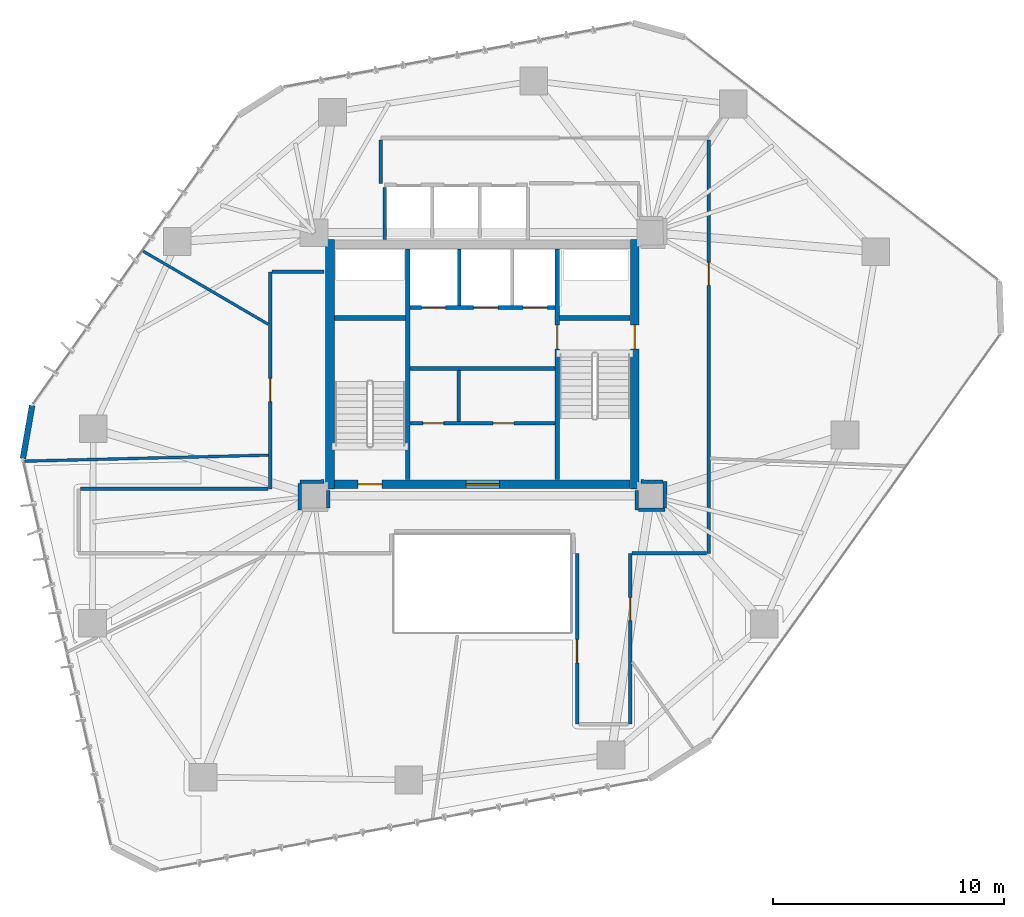
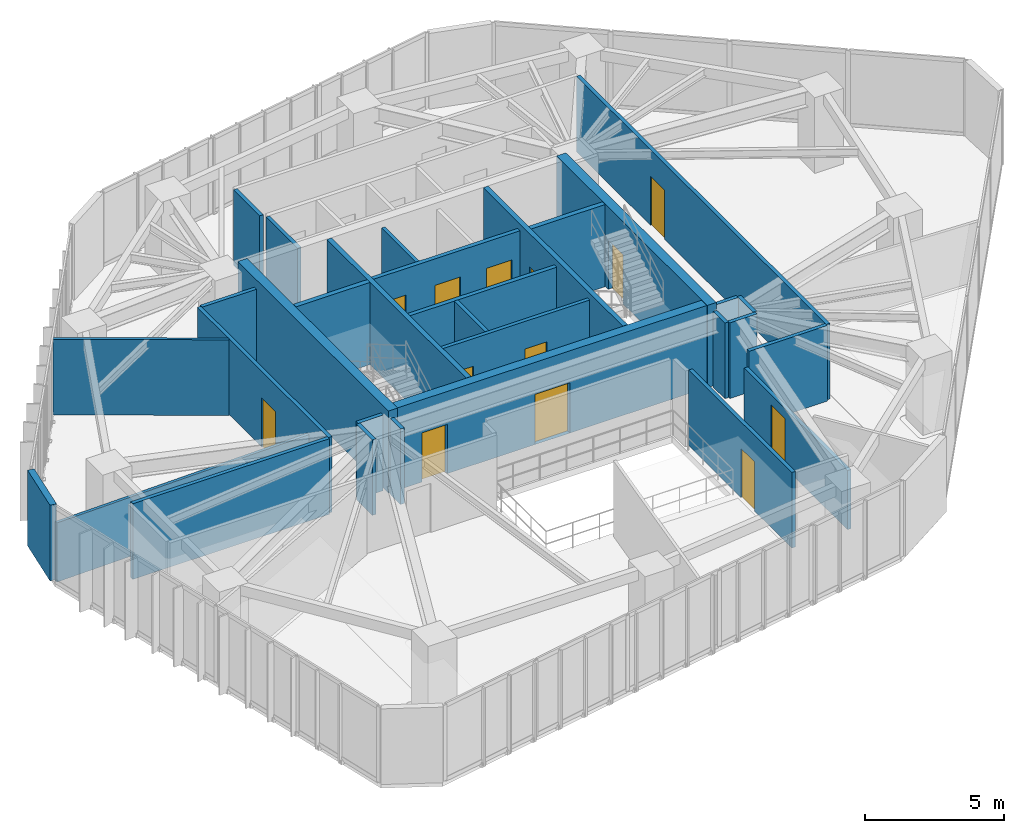
# One storey, part 17 of 22: 31 walls, 13 doors, 13 openings.
"""IFC4 building model written with IfcOpenShell, lengths in metres."""

import ifcopenshell
import ifcopenshell.guid

model = None  # the IFC model being written
_history = None  # IfcOwnerHistory: only IFC2X3 demands one
_inside = {}  # id of a spatial element -> (the spatial element, [elements in it])
_under = {}  # id of a project, library or spatial element -> (it, [spatial elements below it])
_declared = {}  # id of a project -> (the project, [libraries it declares])
_typed = {}  # id of a type object -> (the type object, [elements of that type])
_made_of = {}  # id of a material, layer set ... -> (it, [elements and type objects made of it])


def new_model(schema):
    """Start an empty IFC model of exactly this schema.

    Asked for "IFC4X3", IfcOpenShell would pick the latest addendum, in which some entities
    have other attributes; the version numbers below select the first issue.
    IFC2X3 requires an IfcOwnerHistory on every rooted entity: one is made here for all.
    """
    global model, _history
    if schema == "IFC4X3":
        model = ifcopenshell.file(schema_version=(4, 3, 0, 0))
    else:
        model = ifcopenshell.file(schema=schema)
    _inside.clear()
    _under.clear()
    _declared.clear()
    _typed.clear()
    _made_of.clear()
    _history = None
    if model.schema == "IFC2X3":
        org = make("IfcOrganization", Name="unknown")
        user = make(
            "IfcPersonAndOrganization",
            ThePerson=make("IfcPerson", FamilyName="unknown"),
            TheOrganization=org,
        )
        app = make(
            "IfcApplication",
            ApplicationDeveloper=org,
            Version="unknown",
            ApplicationFullName="unknown",
            ApplicationIdentifier="unknown",
        )
        _history = make(
            "IfcOwnerHistory",
            OwningUser=user,
            OwningApplication=app,
            ChangeAction="ADDED",
            CreationDate=0,
        )
    return model


def make(cls, **values):
    """One entity of the class cls with the attributes given. An attribute that is None is left unset."""
    return model.create_entity(
        cls, **{name: value for name, value in values.items() if value is not None}
    )


def rooted(cls, **values):
    """An entity with a GlobalId (a new one), such as an element, a storey or a relation."""
    return make(cls, GlobalId=ifcopenshell.guid.new(), OwnerHistory=_history, **values)


def si_unit(unit_type, name, prefix=None):
    """IfcSIUnit, for example si_unit("LENGTHUNIT", "METRE", prefix="MILLI")."""
    return make("IfcSIUnit", UnitType=unit_type, Prefix=prefix, Name=name)


def assignment(units):
    """IfcUnitAssignment: the units of a project."""
    return None if units is None else make("IfcUnitAssignment", Units=units)


def point(xyz):
    """IfcCartesianPoint."""
    return None if xyz is None else make("IfcCartesianPoint", Coordinates=xyz)


def direction(xyz):
    """IfcDirection."""
    return None if xyz is None else make("IfcDirection", DirectionRatios=xyz)


def frame(location, z_axis=None, x_axis=None):
    """IfcAxis2Placement3D, a coordinate frame: its origin and axes. An axis left out is left unset."""
    return make(
        "IfcAxis2Placement3D",
        Location=point(location),
        Axis=direction(z_axis),
        RefDirection=direction(x_axis),
    )


def frame_2d(location, x_axis=None):
    """IfcAxis2Placement2D, a coordinate frame in the plane: its origin and x axis."""
    return make(
        "IfcAxis2Placement2D", Location=point(location), RefDirection=direction(x_axis)
    )


def origin():
    """The frame at (0, 0, 0) with its axes left unset."""
    return frame((0.0, 0.0, 0.0))


def place(relative_to, where):
    """IfcLocalPlacement: puts the frame where relative to a parent placement (None: the world)."""
    return make(
        "IfcLocalPlacement", PlacementRelTo=relative_to, RelativePlacement=where
    )


def context(
    kind, dimensions, precision=None, world=None, true_north=None, identifier=None
):
    """IfcGeometricRepresentationContext, for example the 3D "Model" context."""
    return make(
        "IfcGeometricRepresentationContext",
        ContextIdentifier=identifier,
        ContextType=kind,
        CoordinateSpaceDimension=dimensions,
        Precision=precision,
        WorldCoordinateSystem=world,
        TrueNorth=true_north,
    )


def subcontext(parent, identifier, kind, view, scale=None):
    """IfcGeometricRepresentationSubContext, for example "Body" below "Model"."""
    return make(
        "IfcGeometricRepresentationSubContext",
        ContextIdentifier=identifier,
        ContextType=kind,
        ParentContext=parent,
        TargetScale=scale,
        TargetView=view,
    )


def project(units=None, contexts=None):
    """IfcProject with its units and contexts."""
    return rooted(
        "IfcProject",
        Name="project",
        RepresentationContexts=contexts,
        UnitsInContext=assignment(units),
    )


def spatial(cls, under=None, at=None, **own):
    """A site, building, storey or space (cls), placed at a placement, below another one or the project."""
    s = rooted(cls, ObjectPlacement=at, **own)
    if under is not None:
        _under.setdefault(under.id(), (under, []))[1].append(s)
    return s


def profile(cls, at=None, kind="AREA", **sizes):
    """A parametric profile (cls). Its sizes go by their IFC names, for example OverallWidth=200.0."""
    return make(cls, ProfileType=kind, Position=at, **sizes)


def rectangle(**sizes):
    """IfcRectangleProfileDef."""
    return profile("IfcRectangleProfileDef", **sizes)


def extrude(swept, where, along, depth):
    """IfcExtrudedAreaSolid: the profile swept, set in the frame where, extruded along a direction by depth."""
    return make(
        "IfcExtrudedAreaSolid",
        SweptArea=swept,
        Position=where,
        ExtrudedDirection=direction(along),
        Depth=depth,
    )


def shape(context_of_items, identifier, shape_type, items):
    """IfcShapeRepresentation: the items that make up one representation, for example the "Body"."""
    return make(
        "IfcShapeRepresentation",
        ContextOfItems=context_of_items,
        RepresentationIdentifier=identifier,
        RepresentationType=shape_type,
        Items=items,
    )


def source(mapping_origin, context_of_items, identifier, shape_type, items):
    """IfcRepresentationMap: a shape defined once, which mapped items show again and again."""
    return make(
        "IfcRepresentationMap",
        MappingOrigin=mapping_origin,
        MappedRepresentation=shape(context_of_items, identifier, shape_type, items),
    )


def transform(
    local_origin,
    x_axis=None,
    y_axis=None,
    z_axis=None,
    scale=None,
    scale2=None,
    scale3=None,
    uniform=True,
):
    """IfcCartesianTransformationOperator3D, or its non-uniform kind. x_axis, y_axis, z_axis: its Axis1, 2, 3."""
    if uniform:
        return make(
            "IfcCartesianTransformationOperator3D",
            Axis1=direction(x_axis),
            Axis2=direction(y_axis),
            LocalOrigin=point(local_origin),
            Scale=scale,
            Axis3=direction(z_axis),
        )
    return make(
        "IfcCartesianTransformationOperator3DnonUniform",
        Axis1=direction(x_axis),
        Axis2=direction(y_axis),
        LocalOrigin=point(local_origin),
        Scale=scale,
        Axis3=direction(z_axis),
        Scale2=scale2,
        Scale3=scale3,
    )


def mapped(mapping_source, mapping_target):
    """IfcMappedItem: shows the shape of a source again, moved by a transform."""
    return make(
        "IfcMappedItem", MappingSource=mapping_source, MappingTarget=mapping_target
    )


def material(Name=None, Category=None):
    """IfcMaterial."""
    return make("IfcMaterial", Name=Name, Category=Category)


def layer(
    of_material, thickness, ventilated=None, Name=None, Category=None, Priority=None
):
    """IfcMaterialLayer: one layer of a wall or slab, of a material (None: an air gap)."""
    return make(
        "IfcMaterialLayer",
        Material=of_material,
        LayerThickness=thickness,
        IsVentilated=ventilated,
        Name=Name,
        Category=Category,
        Priority=Priority,
    )


def layer_set(layers, Name=None):
    """IfcMaterialLayerSet."""
    return make("IfcMaterialLayerSet", MaterialLayers=layers, LayerSetName=Name)


def made_of(thing, what):
    """Note that an element or type object is made of a material, layer set ...; save() writes the relation."""
    if what is not None:
        _made_of.setdefault(what.id(), (what, []))[1].append(thing)
    return thing


def type_object(cls, material=None, **own):
    """A type object (cls), such as IfcWallType, which elements share."""
    return made_of(rooted(cls, **own), material)


def type_shapes(of_type, sources):
    """Give a type object the sources (RepresentationMaps) that its elements show as mapped items."""
    of_type.RepresentationMaps = sources


def element(
    cls,
    number,
    at=None,
    inside=None,
    cuts=None,
    type_object=None,
    material=None,
    context=None,
    identifier="Body",
    shape_type=None,
    held_by="IfcProductDefinitionShape",
    body=None,
    shapes=None,
    **own,
):
    """One element of the class cls, such as IfcWall. Its Tag is "e" and its number.

    at: its placement. inside: the storey or other place that contains it. cuts: it is an
    opening in that element (IfcRelVoidsElement). A single representation is given by context,
    identifier, shape_type and body (its items); several are given by shapes. held_by: the class
    of the entity that holds the representations. save() writes the other relations.
    """
    e = rooted(cls, Tag="e%d" % number, ObjectPlacement=at, **own)
    if body is not None:
        shapes = [shape(context, identifier, shape_type, body)]
    if shapes is not None:
        e.Representation = make(held_by, Representations=shapes)
    if inside is not None:
        _inside.setdefault(inside.id(), (inside, []))[1].append(e)
    if cuts is not None:
        rooted(
            "IfcRelVoidsElement", RelatingBuildingElement=cuts, RelatedOpeningElement=e
        )
    if type_object is not None:
        _typed.setdefault(type_object.id(), (type_object, []))[1].append(e)
    return made_of(e, material)


def fill(opening, filler):
    """IfcRelFillsElement: the door or window that sits in an opening."""
    return rooted(
        "IfcRelFillsElement",
        RelatingOpeningElement=opening,
        RelatedBuildingElement=filler,
    )


def aggregate(whole, parts):
    """IfcRelAggregates: a whole, such as a stair, and the parts it consists of."""
    return rooted("IfcRelAggregates", RelatingObject=whole, RelatedObjects=parts)


def save(model, path):
    """Write the relations noted so far, then the file.

    IfcRelAggregates (storeys below a building ...), IfcRelContainedInSpatialStructure (elements
    in a storey), IfcRelDefinesByType, IfcRelAssociatesMaterial and IfcRelDeclares: one each for
    every whole, place, type object, material and project.
    """
    for whole, parts in _under.values():
        aggregate(whole, parts)
    for where, things in _inside.values():
        rooted(
            "IfcRelContainedInSpatialStructure",
            RelatedElements=things,
            RelatingStructure=where,
        )
    for kind, things in _typed.values():
        rooted("IfcRelDefinesByType", RelatedObjects=things, RelatingType=kind)
    for what, things in _made_of.values():
        rooted("IfcRelAssociatesMaterial", RelatedObjects=things, RelatingMaterial=what)
    for by, libraries in _declared.values():
        rooted("IfcRelDeclares", RelatingContext=by, RelatedDefinitions=libraries)
    model.write(path)


model = new_model("IFC4")

# Units and contexts
model_context = context("Model", 3, precision=1e-05, world=origin(), true_north=direction((0.0, 1.0)))
body_context = subcontext(model_context, "Body", "Model", "MODEL_VIEW")
ifc_project = project(units=[si_unit("LENGTHUNIT", "METRE"), si_unit("AREAUNIT", "SQUARE_METRE"), si_unit("VOLUMEUNIT", "CUBIC_METRE"), si_unit("PLANEANGLEUNIT", "RADIAN"), si_unit("MASSUNIT", "GRAM", prefix="KILO")], contexts=[model_context])

# Site, building, storey
site_placement = place(None, origin())
site = spatial("IfcSite", under=ifc_project, at=site_placement, CompositionType="ELEMENT")
building_placement = place(site_placement, origin())
building = spatial("IfcBuilding", under=site, at=building_placement, Name="Talar Marvaseh", CompositionType="ELEMENT")
storey_placement = place(building_placement, frame((0.0, 0.0, 121.800048828125)))
storey = spatial("IfcBuildingStorey", under=building, at=storey_placement, Name="L31", CompositionType="ELEMENT", Elevation=121.800048828125)

# Wall
ifc_material_1 = material(Name="Precast concrete C45/55", Category="concrete")
ifc_layer_1 = layer(ifc_material_1, 0.2548828125)
ifc_layer_set_1 = layer_set([ifc_layer_1], Name="Precast concrete C45/55")
wall_type_1 = type_object("IfcWallType", Name="Chamfered Hexagonal Corner Pier Wall Z2 255", PredefinedType="SOLIDWALL", material=ifc_layer_set_1)
wall_1_placement = place(storey_placement, frame((6.086669921875, 27.10498046875, 0.0), z_axis=(0.0, 0.0, 1.0), x_axis=(0.171482036388, 0.985187246769, 0.0)))
element("IfcWall", 1, at=wall_1_placement, inside=storey, type_object=wall_type_1, Name="L31 Chamfered Corner Limestone Pier 2", PredefinedType="SOLIDWALL", context=body_context, shape_type="SweptSolid", body=[
    extrude(rectangle(XDim=2.340576171875, YDim=0.2548828125, at=frame_2d((1.17041015625, 0.0))), origin(), (0.0, 0.0, 1.0), 3.31005859375),
])

# Wall, openings, doors
ifc_material_2 = material(Name="Gypsum Board Partition Assembly")
ifc_layer_2 = layer(ifc_material_2, 0.155029296875)
ifc_layer_set_2 = layer_set([ifc_layer_2], Name="Gypsum Board Partition Assembly")
wall_type_2 = type_object("IfcWallType", Name="Corridor Fire-Rated Acoustic Partition 155", PredefinedType="PARTITIONING", material=ifc_layer_set_2)
wall_2_placement = place(storey_placement, frame((22.865966796875, 28.639892578125, 0.0), z_axis=(0.0, 0.0, 1.0), x_axis=(1.0, 0.0, 0.0)))
wall_2 = element("IfcWall", 2, at=wall_2_placement, inside=storey, type_object=wall_type_2, Name="L31 Core BOH Partition", PredefinedType="PARTITIONING", context=body_context, shape_type="SweptSolid", body=[
    extrude(rectangle(XDim=6.26806640625, YDim=0.155029296875, at=frame_2d((3.134033203125, 0.0))), origin(), (0.0, 0.0, 1.0), 3.31005859375),
])
opening_1_placement = place(wall_2_placement, frame((0.550048828125, 0.0, 0.0)))
opening_1 = element("IfcOpeningElement", 3, at=opening_1_placement, cuts=wall_2, Name="Opening DR-BOH090", PredefinedType="OPENING", context=body_context, shape_type="SweptSolid", body=[
    extrude(rectangle(XDim=0.89990234375, YDim=2.10009765625, at=frame_2d((0.449951171875, 1.050048828125))), frame((0.0, 0.08740234375, 0.0), z_axis=(0.0, -1.0, 0.0), x_axis=(1.0, 0.0, 0.0)), (0.0, 0.0, 1.0), 0.175048828125),
])
opening_2_placement = place(wall_2_placement, frame((3.60009765625, 0.0, 0.0)))
opening_2 = element("IfcOpeningElement", 4, at=opening_2_placement, cuts=wall_2, Name="Opening DR-BOH090", PredefinedType="OPENING", context=body_context, shape_type="SweptSolid", body=[
    extrude(rectangle(XDim=0.89990234375, YDim=2.10009765625, at=frame_2d((0.449951171875, 1.050048828125))), frame((0.0, 0.08740234375, 0.0), z_axis=(0.0, -1.0, 0.0), x_axis=(1.0, 0.0, 0.0)), (0.0, 0.0, 1.0), 0.175048828125),
])
ifc_material_3 = material(Name="Fire-Rated Steel Door Leaf", Category="steel")
door_type_1 = type_object("IfcDoorType", Name="Core Back-of-House Service Door 900x2100", OperationType="NOTDEFINED", PredefinedType="DOOR", material=ifc_material_3)
shared_shape_1 = source(origin(), body_context, "Body", "SweptSolid", [
    extrude(rectangle(XDim=0.89990234375, YDim=2.10009765625, at=frame_2d((0.449951171875, 1.050048828125))), frame((0.0, 0.02490234375, 0.0), z_axis=(0.0, -1.0, 0.0), x_axis=(1.0, 0.0, 0.0)), (0.0, 0.0, 1.0), 0.050048828125),
])
type_shapes(door_type_1, [shared_shape_1])
door_1_placement = place(opening_1_placement, origin())
door_1 = element("IfcDoor", 5, at=door_1_placement, inside=storey, type_object=door_type_1, Name="L31 Cleaner Janitor Store Door", OperationType="SINGLE_SWING_LEFT", OverallHeight=2.10009765625, OverallWidth=0.89990234375, PredefinedType="DOOR", context=body_context, shape_type="MappedRepresentation", body=[
    mapped(shared_shape_1, transform((0.0, 0.0, 0.0), x_axis=(1.0, 0.0, 0.0), y_axis=(0.0, 1.0, 0.0), z_axis=(0.0, 0.0, 1.0), scale=1.0)),
])
fill(opening_1, door_1)
door_2_placement = place(opening_2_placement, origin())
door_2 = element("IfcDoor", 6, at=door_2_placement, inside=storey, type_object=door_type_1, Name="L31 Plant Core Electrical Meter Room Door", OperationType="SINGLE_SWING_RIGHT", OverallHeight=2.10009765625, OverallWidth=0.89990234375, PredefinedType="DOOR", context=body_context, shape_type="MappedRepresentation", body=[
    mapped(shared_shape_1, transform((0.0, 0.0, 0.0), x_axis=(1.0, 0.0, 0.0), y_axis=(0.0, 1.0, 0.0), z_axis=(0.0, 0.0, 1.0), scale=1.0)),
])
fill(opening_2, door_2)

# Wall
wall_3_placement = place(storey_placement, frame((24.97998046875, 28.719970703125, 0.0), z_axis=(0.0, 0.0, 1.0), x_axis=(0.0, 1.0, 0.0)))
element("IfcWall", 7, at=wall_3_placement, inside=storey, type_object=wall_type_2, Name="L31 Core BOH Partition", PredefinedType="PARTITIONING", context=body_context, shape_type="SweptSolid", body=[
    extrude(rectangle(XDim=2.219970703125, YDim=0.155029296875, at=frame_2d((1.10986328125, 0.0))), origin(), (0.0, 0.0, 1.0), 3.31005859375),
])

# Wall, opening, door
wall_4_placement = place(storey_placement, frame((16.800048828125, 25.800048828125, 0.0), z_axis=(0.0, 0.0, 1.0), x_axis=(0.0, 1.0, 0.0)))
wall_4 = element("IfcWall", 8, at=wall_4_placement, inside=storey, type_object=wall_type_2, Name="L31 Interior Partition Wall", PredefinedType="PARTITIONING", context=body_context, shape_type="SweptSolid", body=[
    extrude(rectangle(XDim=9.39990234375, YDim=0.155029296875, at=frame_2d((4.699951171875, 0.0))), origin(), (0.0, 0.0, 1.0), 3.31005859375),
])
opening_3_placement = place(wall_4_placement, frame((3.78125, 0.0, 0.0)))
opening_3 = element("IfcOpeningElement", 9, at=opening_3_placement, cuts=wall_4, Name="Opening DR-RM100", PredefinedType="OPENING", context=body_context, shape_type="SweptSolid", body=[
    extrude(rectangle(XDim=1.0, YDim=2.14990234375, at=frame_2d((0.5, 1.074951171875))), frame((0.0, 0.08740234375, 0.0), z_axis=(0.0, -1.0, 0.0), x_axis=(1.0, 0.0, 0.0)), (0.0, 0.0, 1.0), 0.175048828125),
])
ifc_material_4 = material(Name="Acoustic Engineered Oak Timber", Category="wood")
door_type_2 = type_object("IfcDoorType", Name="Corridor Fire-Rated Gallery Door 1000x2150", OperationType="NOTDEFINED", PredefinedType="DOOR", material=ifc_material_4)
shared_shape_2 = source(origin(), body_context, "Body", "SweptSolid", [
    extrude(rectangle(XDim=1.0, YDim=2.14990234375, at=frame_2d((0.5, 1.074951171875))), frame((0.0, 0.02490234375, 0.0), z_axis=(0.0, -1.0, 0.0), x_axis=(1.0, 0.0, 0.0)), (0.0, 0.0, 1.0), 0.050048828125),
])
type_shapes(door_type_2, [shared_shape_2])
door_3_placement = place(opening_3_placement, origin())
door_3 = element("IfcDoor", 10, at=door_3_placement, inside=storey, type_object=door_type_2, Name="L31 Archival Facsimile Boutique Door", OperationType="SINGLE_SWING_LEFT", OverallHeight=2.14990234375, OverallWidth=1.0, PredefinedType="DOOR", context=body_context, shape_type="MappedRepresentation", body=[
    mapped(shared_shape_2, transform((0.0, 0.0, 0.0), x_axis=(1.0, 0.0, 0.0), y_axis=(0.0, 1.0, 0.0), z_axis=(0.0, 0.0, 1.0), scale=1.0)),
])
fill(opening_3, door_3)

wall_5_placement = place(storey_placement, frame((35.800048828125, 40.91650390625, 0.0), z_axis=(0.0, 0.0, 1.0), x_axis=(0.0, -1.0, 0.0)))
wall_5 = element("IfcWall", 11, at=wall_5_placement, inside=storey, type_object=wall_type_2, Name="L31 Interior Partition Wall", PredefinedType="PARTITIONING", context=body_context, shape_type="SweptSolid", body=[
    extrude(rectangle(XDim=17.91650390625, YDim=0.155029296875, at=frame_2d((8.958251953125, 0.0))), origin(), (0.0, 0.0, 1.0), 3.31005859375),
])
opening_4_placement = place(wall_5_placement, frame((5.3056640625, 0.0, 0.0)))
opening_4 = element("IfcOpeningElement", 12, at=opening_4_placement, cuts=wall_5, Name="Opening DR-RM100", PredefinedType="OPENING", context=body_context, shape_type="SweptSolid", body=[
    extrude(rectangle(XDim=1.0, YDim=2.14990234375, at=frame_2d((0.5, 1.074951171875))), frame((0.0, 0.08740234375, 0.0), z_axis=(0.0, -1.0, 0.0), x_axis=(1.0, 0.0, 0.0)), (0.0, 0.0, 1.0), 0.175048828125),
])
door_4_placement = place(opening_4_placement, origin())
door_4 = element("IfcDoor", 13, at=door_4_placement, inside=storey, type_object=door_type_2, Name="L31 Artisan Craft Showroom Door", OperationType="SINGLE_SWING_RIGHT", OverallHeight=2.14990234375, OverallWidth=1.0, PredefinedType="DOOR", context=body_context, shape_type="MappedRepresentation", body=[
    mapped(shared_shape_2, transform((0.0, 0.0, 0.0), x_axis=(1.0, 0.0, 0.0), y_axis=(0.0, 1.0, 0.0), z_axis=(0.0, 0.0, 1.0), scale=1.0)),
])
fill(opening_4, door_4)

wall_6_placement = place(storey_placement, frame((32.39990234375, 23.0, 0.0), z_axis=(0.0, 0.0, 1.0), x_axis=(0.0, -1.0, 0.0)))
wall_6 = element("IfcWall", 14, at=wall_6_placement, inside=storey, type_object=wall_type_2, Name="L31 Interior Partition Wall", PredefinedType="PARTITIONING", context=body_context, shape_type="SweptSolid", body=[
    extrude(rectangle(XDim=7.39990234375, YDim=0.155029296875, at=frame_2d((3.699951171875, 0.0))), origin(), (0.0, 0.0, 1.0), 2.58984375),
])
opening_5_placement = place(wall_6_placement, frame((1.91455078125, 0.0, 0.0)))
opening_5 = element("IfcOpeningElement", 15, at=opening_5_placement, cuts=wall_6, Name="Opening DR-RM100", PredefinedType="OPENING", context=body_context, shape_type="SweptSolid", body=[
    extrude(rectangle(XDim=1.0, YDim=2.14990234375, at=frame_2d((0.5, 1.074951171875))), frame((0.0, 0.08740234375, 0.0), z_axis=(0.0, -1.0, 0.0), x_axis=(1.0, 0.0, 0.0)), (0.0, 0.0, 1.0), 0.175048828125),
])
door_5_placement = place(opening_5_placement, origin())
door_5 = element("IfcDoor", 16, at=door_5_placement, inside=storey, type_object=door_type_2, Name="L31 Archival Research Office Door", OperationType="SINGLE_SWING_LEFT", OverallHeight=2.14990234375, OverallWidth=1.0, PredefinedType="DOOR", context=body_context, shape_type="MappedRepresentation", body=[
    mapped(shared_shape_2, transform((0.0, 0.0, 0.0), x_axis=(1.0, 0.0, 0.0), y_axis=(0.0, 1.0, 0.0), z_axis=(0.0, 0.0, 1.0), scale=1.0)),
])
fill(opening_5, door_5)

wall_7_placement = place(storey_placement, frame((30.10009765625, 15.60009765625, 0.0), z_axis=(0.0, 0.0, 1.0), x_axis=(0.0, 1.0, 0.0)))
wall_7 = element("IfcWall", 17, at=wall_7_placement, inside=storey, type_object=wall_type_2, Name="L31 Interior Partition Wall", PredefinedType="PARTITIONING", context=body_context, shape_type="SweptSolid", body=[
    extrude(rectangle(XDim=7.39990234375, YDim=0.155029296875, at=frame_2d((3.699951171875, 0.0))), origin(), (0.0, 0.0, 1.0), 3.31005859375),
])
opening_6_placement = place(wall_7_placement, frame((2.6611328125, 0.0, 0.0)))
opening_6 = element("IfcOpeningElement", 18, at=opening_6_placement, cuts=wall_7, Name="Opening DR-RM100", PredefinedType="OPENING", context=body_context, shape_type="SweptSolid", body=[
    extrude(rectangle(XDim=1.0, YDim=2.14990234375, at=frame_2d((0.5, 1.074951171875))), frame((0.0, 0.08740234375, 0.0), z_axis=(0.0, -1.0, 0.0), x_axis=(1.0, 0.0, 0.0)), (0.0, 0.0, 1.0), 0.175048828125),
])
door_6_placement = place(opening_6_placement, origin())
door_6 = element("IfcDoor", 19, at=door_6_placement, inside=storey, type_object=door_type_2, Name="L31 Museum Publication Bookshop Door", OperationType="SINGLE_SWING_RIGHT", OverallHeight=2.14990234375, OverallWidth=1.0, PredefinedType="DOOR", context=body_context, shape_type="MappedRepresentation", body=[
    mapped(shared_shape_2, transform((0.0, 0.0, 0.0), x_axis=(1.0, 0.0, 0.0), y_axis=(0.0, 1.0, 0.0), z_axis=(0.0, 0.0, 1.0), scale=1.0)),
])
fill(opening_6, door_6)

# Walls
wall_8_placement = place(storey_placement, frame((8.58349609375, 25.800048828125, 0.0), z_axis=(0.0, 0.0, 1.0), x_axis=(1.0, 0.0, 0.0)))
element("IfcWall", 20, at=wall_8_placement, inside=storey, type_object=wall_type_2, Name="L31 Interior Partition Wall", PredefinedType="PARTITIONING", context=body_context, shape_type="SweptSolid", body=[
    extrude(rectangle(XDim=8.133056640625, YDim=0.155029296875, at=frame_2d((4.06640625, 0.0))), origin(), (0.0, 0.0, 1.0), 3.31005859375),
])
wall_9_placement = place(storey_placement, frame((16.883544921875, 35.199951171875, 0.0), z_axis=(0.0, 0.0, 1.0), x_axis=(1.0, 0.0, 0.0)))
element("IfcWall", 21, at=wall_9_placement, inside=storey, type_object=wall_type_2, Name="L31 Interior Partition Wall", PredefinedType="PARTITIONING", context=body_context, shape_type="SweptSolid", body=[
    extrude(rectangle(XDim=2.246337890625, YDim=0.155029296875, at=frame_2d((1.123046875, 0.0))), origin(), (0.0, 0.0, 1.0), 3.31005859375),
])
wall_10_placement = place(storey_placement, frame((19.1298828125, 26.114990234375, 0.0), z_axis=(0.0, 0.0, 1.0), x_axis=(-0.999986702653, -0.005156987215, 0.0)))
element("IfcWall", 22, at=wall_10_placement, inside=storey, type_object=wall_type_2, Name="L31 Interior Partition Wall", PredefinedType="PARTITIONING", context=body_context, shape_type="SweptSolid", body=[
    extrude(rectangle(XDim=1.04150390625, YDim=0.155029296875, at=frame_2d((0.520751953125, 0.0))), origin(), (0.0, 0.0, 1.0), 3.31005859375),
])
wall_11_placement = place(storey_placement, frame((18.088623046875, 26.02587890625, 0.0), z_axis=(0.0, 0.0, 1.0), x_axis=(0.002787893948, -0.999996113816, 0.0)))
element("IfcWall", 23, at=wall_11_placement, inside=storey, type_object=wall_type_2, Name="L31 Interior Partition Wall", PredefinedType="PARTITIONING", context=body_context, shape_type="SweptSolid", body=[
    extrude(rectangle(XDim=1.138427734375, YDim=0.155029296875, at=frame_2d((0.5693359375, 0.0))), origin(), (0.0, 0.0, 1.0), 3.31005859375),
])
wall_12_placement = place(storey_placement, frame((19.31005859375, 24.971923828125, 0.0), z_axis=(0.0, 0.0, 1.0), x_axis=(0.006441090216, 0.999979255963, 0.0)))
element("IfcWall", 24, at=wall_12_placement, inside=storey, type_object=wall_type_2, Name="L31 Interior Partition Wall", PredefinedType="PARTITIONING", context=body_context, shape_type="SweptSolid", body=[
    extrude(rectangle(XDim=0.758056640625, YDim=0.155029296875, at=frame_2d((0.37890625, 0.0))), origin(), (0.0, 0.0, 1.0), 3.31005859375),
])
wall_13_placement = place(storey_placement, frame((32.68505859375, 25.72998046875, 0.0), z_axis=(0.0, 0.0, 1.0), x_axis=(0.006382231486, -0.999979633353, 0.0)))
element("IfcWall", 25, at=wall_13_placement, inside=storey, type_object=wall_type_2, Name="L31 Interior Partition Wall", PredefinedType="PARTITIONING", context=body_context, shape_type="SweptSolid", body=[
    extrude(rectangle(XDim=0.841552734375, YDim=0.155029296875, at=frame_2d((0.4208984375, 0.0))), origin(), (0.0, 0.0, 1.0), 3.31005859375),
])
wall_14_placement = place(storey_placement, frame((32.77392578125, 24.88818359375, 0.0), z_axis=(0.0, 0.0, 1.0), x_axis=(0.999999164303, -0.001292823742, 0.0)))
element("IfcWall", 26, at=wall_14_placement, inside=storey, type_object=wall_type_2, Name="L31 Interior Partition Wall", PredefinedType="PARTITIONING", context=body_context, shape_type="SweptSolid", body=[
    extrude(rectangle(XDim=1.133056640625, YDim=0.155029296875, at=frame_2d((0.56640625, 0.0))), origin(), (0.0, 0.0, 1.0), 3.31005859375),
])
wall_15_placement = place(storey_placement, frame((33.907470703125, 24.97021484375, 0.0), z_axis=(0.0, 0.0, 1.0), x_axis=(0.003642572792, 0.99999336581, 0.0)))
element("IfcWall", 27, at=wall_15_placement, inside=storey, type_object=wall_type_2, Name="L31 Interior Partition Wall", PredefinedType="PARTITIONING", context=body_context, shape_type="SweptSolid", body=[
    extrude(rectangle(XDim=1.139404296875, YDim=0.155029296875, at=frame_2d((0.56982421875, 0.0))), origin(), (0.0, 0.0, 1.0), 3.31005859375),
])
wall_16_placement = place(storey_placement, frame((33.828125, 26.110107421875, 0.0), z_axis=(0.0, 0.0, 1.0), x_axis=(-0.999987011364, 0.005096773758, 0.0)))
element("IfcWall", 28, at=wall_16_placement, inside=storey, type_object=wall_type_2, Name="L31 Interior Partition Wall", PredefinedType="PARTITIONING", context=body_context, shape_type="SweptSolid", body=[
    extrude(rectangle(XDim=0.9580078125, YDim=0.155029296875, at=frame_2d((0.47900390625, 0.0))), origin(), (0.0, 0.0, 1.0), 3.31005859375),
])
wall_17_placement = place(storey_placement, frame((21.60009765625, 39.0400390625, 0.0), z_axis=(0.0, 0.0, 1.0), x_axis=(0.0, 1.0, 0.0)))
element("IfcWall", 29, at=wall_17_placement, inside=storey, type_object=wall_type_2, Name="L31 Interior Partition Wall", PredefinedType="PARTITIONING", context=body_context, shape_type="SweptSolid", body=[
    extrude(rectangle(XDim=1.87646484375, YDim=0.155029296875, at=frame_2d((0.938232421875, 0.0))), origin(), (0.0, 0.0, 1.0), 3.31005859375),
])
wall_18_placement = place(storey_placement, frame((35.716552734375, 23.0, 0.0), z_axis=(0.0, 0.0, 1.0), x_axis=(-1.0, 0.0, 0.0)))
element("IfcWall", 30, at=wall_18_placement, inside=storey, type_object=wall_type_2, Name="L31 Interior Partition Wall", PredefinedType="PARTITIONING", context=body_context, shape_type="SweptSolid", body=[
    extrude(rectangle(XDim=3.233154296875, YDim=0.155029296875, at=frame_2d((1.61669921875, 0.0))), origin(), (0.0, 0.0, 1.0), 3.31005859375),
])
ifc_layer_3 = layer(ifc_material_2, 0.1201171875)
ifc_layer_set_3 = layer_set([ifc_layer_3], Name="Gypsum Board Partition Assembly")
wall_type_3 = type_object("IfcWallType", Name="Demountable Studio Room Partition 120", PredefinedType="PARTITIONING", material=ifc_layer_set_3)
wall_19_placement = place(storey_placement, frame((6.1318359375, 26.99560546875, 0.0), z_axis=(0.0, 0.0, 1.0), x_axis=(0.999693242621, 0.024767330457, 0.0)))
element("IfcWall", 31, at=wall_19_placement, inside=storey, type_object=wall_type_3, Name="L31 Interior Partition Wall", PredefinedType="PARTITIONING", context=body_context, shape_type="SweptSolid", body=[
    extrude(rectangle(XDim=10.6064453125, YDim=0.1201171875, at=frame_2d((5.30322265625, 0.0))), origin(), (0.0, 0.0, 1.0), 2.58984375),
])
wall_20_placement = place(storey_placement, frame((16.716552734375, 32.9287109375, 0.0), z_axis=(0.0, 0.0, 1.0), x_axis=(-0.863250041551, 0.504776550329, 0.0)))
element("IfcWall", 32, at=wall_20_placement, inside=storey, type_object=wall_type_3, Name="L31 Interior Partition Wall", PredefinedType="PARTITIONING", context=body_context, shape_type="SweptSolid", body=[
    extrude(rectangle(XDim=6.301025390625, YDim=0.1201171875, at=frame_2d((3.150390625, 0.0))), origin(), (0.0, 0.0, 1.0), 3.31005859375),
])
ifc_layer_4 = layer(ifc_material_1, 0.14501953125)
ifc_layer_set_4 = layer_set([ifc_layer_4], Name="Precast concrete C45/55")
wall_type_4 = type_object("IfcWallType", Name="Fire-Rated Lift Divider Wall 145", PredefinedType="SOLIDWALL", material=ifc_layer_set_4)
wall_21_placement = place(storey_placement, frame((25.0, 33.743408203125, 0.0), z_axis=(0.0, 0.0, 1.0), x_axis=(0.0, 1.0, 0.0)))
element("IfcWall", 33, at=wall_21_placement, inside=storey, type_object=wall_type_4, Name="L31 FFL-1/FFL-2 Divider", PredefinedType="SOLIDWALL", context=body_context, shape_type="SweptSolid", body=[
    extrude(rectangle(XDim=2.45654296875, YDim=0.14501953125, at=frame_2d((1.228271484375, 0.0))), origin(), (0.0, 0.0, 1.0), 3.31005859375),
])
wall_22_placement = place(storey_placement, frame((21.760009765625, 36.60009765625, 0.0), z_axis=(0.0, 0.0, 1.0), x_axis=(0.0, 1.0, 0.0)))
element("IfcWall", 34, at=wall_22_placement, inside=storey, type_object=wall_type_4, Name="L31 Low-Rise Bank West Wall", PredefinedType="SOLIDWALL", context=body_context, shape_type="SweptSolid", body=[
    extrude(rectangle(XDim=2.266357421875, YDim=0.14501953125, at=frame_2d((1.13330078125, 0.0))), origin(), (0.0, 0.0, 1.0), 3.31005859375),
])

# Wall, openings, doors
ifc_layer_5 = layer(ifc_material_1, 0.175048828125)
ifc_layer_set_5 = layer_set([ifc_layer_5], Name="Precast concrete C45/55")
wall_type_5 = type_object("IfcWallType", Name="Fire-Rated Lift Hoistway Enclosure Wall 175", PredefinedType="SOLIDWALL", material=ifc_layer_set_5)
wall_23_placement = place(storey_placement, frame((22.860107421875, 33.64990234375, 0.0), z_axis=(0.0, 0.0, 1.0), x_axis=(1.0, 0.0, 0.0)))
wall_23 = element("IfcWall", 35, at=wall_23_placement, inside=storey, type_object=wall_type_5, Name="L31 Firefighting and Service Lift Front Wall", PredefinedType="SOLIDWALL", context=body_context, shape_type="SweptSolid", body=[
    extrude(rectangle(XDim=6.27978515625, YDim=0.175048828125, at=frame_2d((3.139892578125, 0.0))), origin(), (0.0, 0.0, 1.0), 3.31005859375),
])
opening_7_placement = place(wall_23_placement, frame((0.5, 0.0, 0.0)))
opening_7 = element("IfcOpeningElement", 36, at=opening_7_placement, cuts=wall_23, Name="Opening LD-FF1", PredefinedType="OPENING", context=body_context, shape_type="SweptSolid", body=[
    extrude(rectangle(XDim=1.050048828125, YDim=2.14990234375, at=frame_2d((0.52490234375, 1.074951171875))), frame((0.0, 0.09765625, 0.0), z_axis=(0.0, -1.0, 0.0), x_axis=(1.0, 0.0, 0.0)), (0.0, 0.0, 1.0), 0.195068359375),
])
opening_8_placement = place(wall_23_placement, frame((2.760009765625, 0.0, 0.0)))
opening_8 = element("IfcOpeningElement", 37, at=opening_8_placement, cuts=wall_23, Name="Opening LD-FF2", PredefinedType="OPENING", context=body_context, shape_type="SweptSolid", body=[
    extrude(rectangle(XDim=1.050048828125, YDim=2.14990234375, at=frame_2d((0.52490234375, 1.074951171875))), frame((0.0, 0.09765625, 0.0), z_axis=(0.0, -1.0, 0.0), x_axis=(1.0, 0.0, 0.0)), (0.0, 0.0, 1.0), 0.195068359375),
])
opening_9_placement = place(wall_23_placement, frame((4.89990234375, 0.0, 0.0)))
opening_9 = element("IfcOpeningElement", 38, at=opening_9_placement, cuts=wall_23, Name="Opening LD-SV1", PredefinedType="OPENING", context=body_context, shape_type="SweptSolid", body=[
    extrude(rectangle(XDim=1.050048828125, YDim=2.14990234375, at=frame_2d((0.52490234375, 1.074951171875))), frame((0.0, 0.09765625, 0.0), z_axis=(0.0, -1.0, 0.0), x_axis=(1.0, 0.0, 0.0)), (0.0, 0.0, 1.0), 0.195068359375),
])
ifc_material_5 = material(Name="Stainless Steel Grade 316", Category="steel")
door_type_3 = type_object("IfcDoorType", Name="Automatic Sliding Lift Landing Door 1050x2150", OperationType="NOTDEFINED", PredefinedType="DOOR", material=ifc_material_5)
shared_shape_3 = source(origin(), body_context, "Body", "SweptSolid", [
    extrude(rectangle(XDim=1.050048828125, YDim=2.14990234375, at=frame_2d((0.52490234375, 1.074951171875))), frame((0.0, 0.02490234375, 0.0), z_axis=(0.0, -1.0, 0.0), x_axis=(1.0, 0.0, 0.0)), (0.0, 0.0, 1.0), 0.050048828125),
])
type_shapes(door_type_3, [shared_shape_3])
door_7_placement = place(opening_7_placement, origin())
door_7 = element("IfcDoor", 39, at=door_7_placement, inside=storey, type_object=door_type_3, Name="L31 Lift FFL-1 Sliding Landing Door", OperationType="SLIDING_TO_LEFT", OverallHeight=2.14990234375, OverallWidth=1.050048828125, PredefinedType="DOOR", context=body_context, shape_type="MappedRepresentation", body=[
    mapped(shared_shape_3, transform((0.0, 0.0, 0.0), x_axis=(1.0, 0.0, 0.0), y_axis=(0.0, 1.0, 0.0), z_axis=(0.0, 0.0, 1.0), scale=1.0)),
])
fill(opening_7, door_7)
door_8_placement = place(opening_8_placement, origin())
door_8 = element("IfcDoor", 40, at=door_8_placement, inside=storey, type_object=door_type_3, Name="L31 Lift FFL-2 Sliding Landing Door", OperationType="SLIDING_TO_LEFT", OverallHeight=2.14990234375, OverallWidth=1.050048828125, PredefinedType="DOOR", context=body_context, shape_type="MappedRepresentation", body=[
    mapped(shared_shape_3, transform((0.0, 0.0, 0.0), x_axis=(1.0, 0.0, 0.0), y_axis=(0.0, 1.0, 0.0), z_axis=(0.0, 0.0, 1.0), scale=1.0)),
])
fill(opening_8, door_8)
door_9_placement = place(opening_9_placement, origin())
door_9 = element("IfcDoor", 41, at=door_9_placement, inside=storey, type_object=door_type_3, Name="L31 Lift SVL-1 Sliding Landing Door", OperationType="SLIDING_TO_LEFT", OverallHeight=2.14990234375, OverallWidth=1.050048828125, PredefinedType="DOOR", context=body_context, shape_type="MappedRepresentation", body=[
    mapped(shared_shape_3, transform((0.0, 0.0, 0.0), x_axis=(1.0, 0.0, 0.0), y_axis=(0.0, 1.0, 0.0), z_axis=(0.0, 0.0, 1.0), scale=1.0)),
])
fill(opening_9, door_9)

# Walls
wall_24_placement = place(storey_placement, frame((22.860107421875, 31.02001953125, 0.0), z_axis=(0.0, 0.0, 1.0), x_axis=(1.0, 0.0, 0.0)))
element("IfcWall", 42, at=wall_24_placement, inside=storey, type_object=wall_type_5, Name="L31 Firefighting Lobby South Smoke Wall", PredefinedType="SOLIDWALL", context=body_context, shape_type="SweptSolid", body=[
    extrude(rectangle(XDim=6.27978515625, YDim=0.175048828125, at=frame_2d((3.139892578125, 0.0))), origin(), (0.0, 0.0, 1.0), 3.31005859375),
])
ifc_material_6 = material(Name="Concrete C60/75", Category="concrete")
ifc_layer_6 = layer(ifc_material_6, 0.3798828125)
ifc_layer_set_6 = layer_set([ifc_layer_6], Name="Concrete C60/75")
wall_type_6 = type_object("IfcWallType", Name="Mid Core Reinforced Concrete Shear Wall 380", PredefinedType="SHEAR", material=ifc_layer_set_6)
wall_25_placement = place(storey_placement, frame((19.39990234375, 25.800048828125, 0.0), z_axis=(0.0, 0.0, 1.0), x_axis=(0.0, 1.0, 0.0)))
element("IfcWall", 43, at=wall_25_placement, inside=storey, type_object=wall_type_6, Name="L31 West Core Shear Wall", PredefinedType="SHEAR", context=body_context, shape_type="SweptSolid", body=[
    extrude(rectangle(XDim=10.800048828125, YDim=0.3798828125, at=frame_2d((5.39990234375, 0.0))), origin(), (0.0, 0.0, 1.0), 3.599853515625),
])

# Wall, opening, door
wall_26_placement = place(storey_placement, frame((32.60009765625, 36.60009765625, 0.0), z_axis=(0.0, 0.0, 1.0), x_axis=(0.0, -1.0, 0.0)))
wall_26 = element("IfcWall", 44, at=wall_26_placement, inside=storey, type_object=wall_type_6, Name="L31 East Core Shear Wall", PredefinedType="SHEAR", context=body_context, shape_type="SweptSolid", body=[
    extrude(rectangle(XDim=10.800048828125, YDim=0.3798828125, at=frame_2d((5.39990234375, 0.0))), origin(), (0.0, 0.0, 1.0), 3.599853515625),
])
opening_10_placement = place(wall_26_placement, frame((3.699951171875, 0.0, 0.0)))
opening_10 = element("IfcOpeningElement", 45, at=opening_10_placement, cuts=wall_26, Name="Opening DR-ST105", PredefinedType="OPENING", context=body_context, shape_type="SweptSolid", body=[
    extrude(rectangle(XDim=1.050048828125, YDim=2.14990234375, at=frame_2d((0.52490234375, 1.074951171875))), frame((0.0, 0.199951171875, 0.0), z_axis=(0.0, -1.0, 0.0), x_axis=(1.0, 0.0, 0.0)), (0.0, 0.0, 1.0), 0.39990234375),
])
door_type_4 = type_object("IfcDoorType", Name="Protected Exit Stair Fire Door 1050x2150", OperationType="NOTDEFINED", PredefinedType="DOOR", material=ifc_material_3)
shared_shape_4 = source(origin(), body_context, "Body", "SweptSolid", [
    extrude(rectangle(XDim=1.050048828125, YDim=2.14990234375, at=frame_2d((0.52490234375, 1.074951171875))), frame((0.0, 0.02490234375, 0.0), z_axis=(0.0, -1.0, 0.0), x_axis=(1.0, 0.0, 0.0)), (0.0, 0.0, 1.0), 0.050048828125),
])
type_shapes(door_type_4, [shared_shape_4])
door_10_placement = place(opening_10_placement, origin())
door_10 = element("IfcDoor", 46, at=door_10_placement, inside=storey, type_object=door_type_4, Name="L31 Stair ST-2 Corridor Exit Door", OperationType="SINGLE_SWING_LEFT", OverallHeight=2.14990234375, OverallWidth=1.050048828125, PredefinedType="DOOR", context=body_context, shape_type="MappedRepresentation", body=[
    mapped(shared_shape_4, transform((0.0, 0.0, 0.0), x_axis=(1.0, 0.0, 0.0), y_axis=(0.0, 1.0, 0.0), z_axis=(0.0, 0.0, 1.0), scale=1.0)),
])
fill(opening_10, door_10)

# Wall, openings, doors
wall_27_placement = place(storey_placement, frame((32.39990234375, 26.0, 0.0), z_axis=(0.0, 0.0, 1.0), x_axis=(-1.0, 0.0, 0.0)))
wall_27 = element("IfcWall", 47, at=wall_27_placement, inside=storey, type_object=wall_type_6, Name="L31 South Core Shear Wall", PredefinedType="SHEAR", context=body_context, shape_type="SweptSolid", body=[
    extrude(rectangle(XDim=12.7998046875, YDim=0.3798828125, at=frame_2d((6.39990234375, 0.0))), origin(), (0.0, 0.0, 1.0), 3.599853515625),
])
opening_11_placement = place(wall_27_placement, frame((10.75, 0.0, 0.0)))
opening_11 = element("IfcOpeningElement", 48, at=opening_11_placement, cuts=wall_27, Name="Opening DR-ST105", PredefinedType="OPENING", context=body_context, shape_type="SweptSolid", body=[
    extrude(rectangle(XDim=1.050048828125, YDim=2.14990234375, at=frame_2d((0.52490234375, 1.074951171875))), frame((0.0, 0.199951171875, 0.0), z_axis=(0.0, -1.0, 0.0), x_axis=(1.0, 0.0, 0.0)), (0.0, 0.0, 1.0), 0.39990234375),
])
opening_12_placement = place(wall_27_placement, frame((5.669921875, 0.0, 0.0)))
opening_12 = element("IfcOpeningElement", 49, at=opening_12_placement, cuts=wall_27, Name="Opening DR-LBY145", PredefinedType="OPENING", context=body_context, shape_type="SweptSolid", body=[
    extrude(rectangle(XDim=1.449951171875, YDim=2.199951171875, at=frame_2d((0.72509765625, 1.10009765625))), frame((0.0, 0.199951171875, 0.0), z_axis=(0.0, -1.0, 0.0), x_axis=(1.0, 0.0, 0.0)), (0.0, 0.0, 1.0), 0.39990234375),
])
door_11_placement = place(opening_11_placement, origin())
door_11 = element("IfcDoor", 50, at=door_11_placement, inside=storey, type_object=door_type_4, Name="L31 Stair ST-1 Exit Door", OperationType="SINGLE_SWING_RIGHT", OverallHeight=2.14990234375, OverallWidth=1.050048828125, PredefinedType="DOOR", context=body_context, shape_type="MappedRepresentation", body=[
    mapped(shared_shape_4, transform((0.0, 0.0, 0.0), x_axis=(1.0, 0.0, 0.0), y_axis=(0.0, 1.0, 0.0), z_axis=(0.0, 0.0, 1.0), scale=1.0)),
])
fill(opening_11, door_11)
door_type_5 = type_object("IfcDoorType", Name="Core Lift Lobby Double Smoke Door 1450x2200", OperationType="NOTDEFINED", PredefinedType="DOOR", material=ifc_material_3)
shared_shape_5 = source(origin(), body_context, "Body", "SweptSolid", [
    extrude(rectangle(XDim=1.449951171875, YDim=2.199951171875, at=frame_2d((0.72509765625, 1.10009765625))), frame((0.0, 0.02490234375, 0.0), z_axis=(0.0, -1.0, 0.0), x_axis=(1.0, 0.0, 0.0)), (0.0, 0.0, 1.0), 0.050048828125),
])
type_shapes(door_type_5, [shared_shape_5])
door_12_placement = place(opening_12_placement, origin())
door_12 = element("IfcDoor", 51, at=door_12_placement, inside=storey, type_object=door_type_5, Name="L31 Passenger Lift Lobby Entrance Door", OperationType="DOUBLE_DOOR_SINGLE_SWING", OverallHeight=2.199951171875, OverallWidth=1.449951171875, PredefinedType="DOOR", context=body_context, shape_type="MappedRepresentation", body=[
    mapped(shared_shape_5, transform((0.0, 0.0, 0.0), x_axis=(1.0, 0.0, 0.0), y_axis=(0.0, 1.0, 0.0), z_axis=(0.0, 0.0, 1.0), scale=1.0)),
])
fill(opening_12, door_12)

# Wall
ifc_material_7 = material(Name="Concrete C50/60", Category="concrete")
ifc_layer_7 = layer(ifc_material_7, 0.199951171875)
ifc_layer_set_7 = layer_set([ifc_layer_7], Name="Concrete C50/60")
wall_type_7 = type_object("IfcWallType", Name="Stair Shaft Structural Concrete Shear Wall 200", PredefinedType="SHEAR", material=ifc_layer_set_7)
wall_28_placement = place(storey_placement, frame((22.760009765625, 26.199951171875, 0.0), z_axis=(0.0, 0.0, 1.0), x_axis=(0.0, 1.0, 0.0)))
element("IfcWall", 52, at=wall_28_placement, inside=storey, type_object=wall_type_7, Name="L31 Core West Stair Shear Wall", PredefinedType="SHEAR", context=body_context, shape_type="SweptSolid", body=[
    extrude(rectangle(XDim=10.0, YDim=0.199951171875, at=frame_2d((5.0, 0.0))), origin(), (0.0, 0.0, 1.0), 3.599853515625),
])

# Wall, opening, door
wall_29_placement = place(storey_placement, frame((29.239990234375, 26.199951171875, 0.0), z_axis=(0.0, 0.0, 1.0), x_axis=(0.0, 1.0, 0.0)))
wall_29 = element("IfcWall", 53, at=wall_29_placement, inside=storey, type_object=wall_type_7, Name="L31 Core East Stair Shear Wall", PredefinedType="SHEAR", context=body_context, shape_type="SweptSolid", body=[
    extrude(rectangle(XDim=10.0, YDim=0.199951171875, at=frame_2d((5.0, 0.0))), origin(), (0.0, 0.0, 1.0), 3.599853515625),
])
opening_13_placement = place(wall_29_placement, frame((5.64990234375, 0.0, 0.0)))
opening_13 = element("IfcOpeningElement", 54, at=opening_13_placement, cuts=wall_29, Name="Opening DR-ST105", PredefinedType="OPENING", context=body_context, shape_type="SweptSolid", body=[
    extrude(rectangle(XDim=1.050048828125, YDim=2.14990234375, at=frame_2d((0.52490234375, 1.074951171875))), frame((0.0, 0.10986328125, 0.0), z_axis=(0.0, -1.0, 0.0), x_axis=(1.0, 0.0, 0.0)), (0.0, 0.0, 1.0), 0.219970703125),
])
door_13_placement = place(opening_13_placement, origin())
door_13 = element("IfcDoor", 55, at=door_13_placement, inside=storey, type_object=door_type_4, Name="L31 Firefighting Lobby to Stair ST-2 Door", OperationType="SINGLE_SWING_LEFT", OverallHeight=2.14990234375, OverallWidth=1.050048828125, PredefinedType="DOOR", context=body_context, shape_type="MappedRepresentation", body=[
    mapped(shared_shape_4, transform((0.0, 0.0, 0.0), x_axis=(1.0, 0.0, 0.0), y_axis=(0.0, 1.0, 0.0), z_axis=(0.0, 0.0, 1.0), scale=1.0)),
])
fill(opening_13, door_13)

# Walls
for number, where, z_axis, x_axis, name in (
    (56, (19.60009765625, 33.199951171875, 0.0), (0.0, 0.0, 1.0), (1.0, 0.0, 0.0), "L31 Stair ST-1 North Shear Wall"),
    (57, (29.340087890625, 33.199951171875, 0.0), (0.0, 0.0, 1.0), (1.0, 0.0, 0.0), "L31 Stair ST-2 North Shear Wall"),
):
    element("IfcWall", number, at=place(storey_placement, frame(where, z_axis=z_axis, x_axis=x_axis)), inside=storey, type_object=wall_type_7, Name=name, PredefinedType="SHEAR", context=body_context, shape_type="SweptSolid", body=[
        extrude(rectangle(XDim=3.059814453125, YDim=0.199951171875, at=frame_2d((1.52978515625, 0.0))), origin(), (0.0, 0.0, 1.0), 3.599853515625),
    ])

save(model, "model.ifc")
